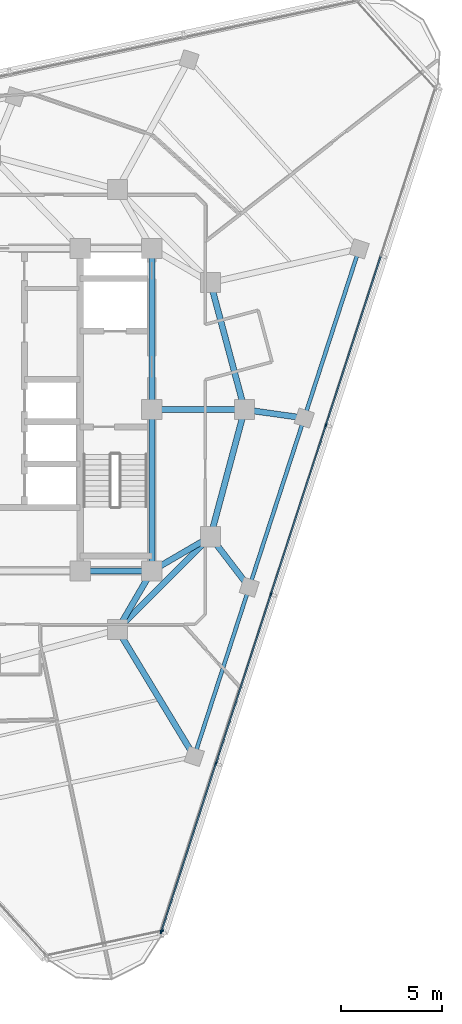
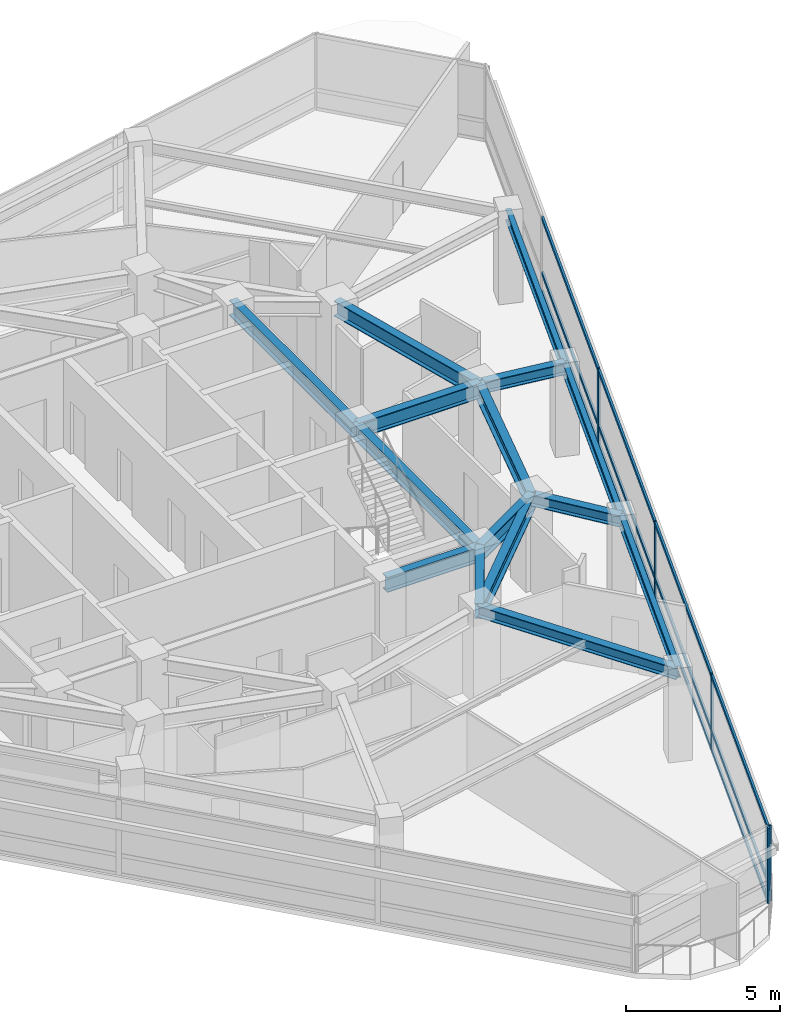
# One storey, part 4 of 15: 17 members, 15 beams, 2 elements without a shape of their own.
"""IFC4 building model written with IfcOpenShell, lengths in metres."""

from ifc_helpers import new_model, si_unit, direction, frame, origin, origin_2d, place, context, subcontext, project, spatial, rectangle, i_section, extrude, material, layer, layer_set, material_profile, profile_set, type_object, element, aggregate, save


model = new_model("IFC4")

# Units and contexts
model_context = context("Model", 3, precision=1e-05, world=origin(), true_north=direction((0.0, 1.0)))
body_context = subcontext(model_context, "Body", "Model", "MODEL_VIEW")
ifc_project = project(units=[si_unit("LENGTHUNIT", "METRE"), si_unit("AREAUNIT", "SQUARE_METRE"), si_unit("VOLUMEUNIT", "CUBIC_METRE"), si_unit("PLANEANGLEUNIT", "RADIAN"), si_unit("MASSUNIT", "GRAM", prefix="KILO")], contexts=[model_context])

# Site, building, storey
site_placement = place(None, origin())
site = spatial("IfcSite", under=ifc_project, at=site_placement, CompositionType="ELEMENT")
building_placement = place(site_placement, origin())
building = spatial("IfcBuilding", under=site, at=building_placement, Name="Terralouvre Media Tower", CompositionType="ELEMENT")
storey_placement = place(building_placement, frame((0.0, 0.0, 286.89990234375)))
storey = spatial("IfcBuildingStorey", under=building, at=storey_placement, Name="L74", CompositionType="ELEMENT", Elevation=286.89990234375)

# Curtain wall, members
ifc_material_1 = material(Name="Low-iron laminated double glazing with solar-control coating", Category="glass")
ifc_layer_1 = layer(ifc_material_1, 0.1650390625, Name="Faceted Glass-Point Crown Curtain Wall CW-06")
ifc_layer_set_1 = layer_set([ifc_layer_1], Name="Low-iron laminated double glazing with solar-control coating")
curtain_wall_type_1 = type_object("IfcCurtainWallType", Name="Faceted Glass-Point Crown Curtain Wall CW-06", PredefinedType="NOTDEFINED", material=ifc_layer_set_1)
curtain_wall_1_placement = place(storey_placement, origin())
curtain_wall_1 = element("IfcCurtainWall", 1, at=curtain_wall_1_placement, inside=storey, type_object=curtain_wall_type_1, Name="L74 Facade Curtain Wall F0", PredefinedType="NOTDEFINED")
ifc_material_2 = material(Name="Anodised extruded aluminium 6063-T6", Category="aluminium")
ifc_material_profile_1 = material_profile(ifc_material_2, rectangle(XDim=0.074951171875, YDim=0.14990234375, at=origin_2d()), Name="ALU 75x150")
ifc_profile_set_1 = profile_set([ifc_material_profile_1], Name="Anodised extruded aluminium 6063-T6")
member_type_1 = type_object("IfcMemberType", Name="Curtain-Wall Horizontal Transom TR-150", PredefinedType="USERDEFINED", material=ifc_profile_set_1)
member_1_placement = place(storey_placement, frame((8.476806640625, -25.87060546875, 0.03759765625), z_axis=(0.309004958377, 0.951060426944, 0.0), x_axis=(-0.951060426944, 0.309004958377, 0.0)))
member_1 = element("IfcMember", 2, at=member_1_placement, type_object=member_type_1, Name="CW-06 transom 1.1", ObjectType="TRANSOM", PredefinedType="USERDEFINED", context=body_context, shape_type="SweptSolid", body=[
    extrude(rectangle(XDim=0.074951171875, YDim=0.14990234375, at=origin_2d()), origin(), (0.0, 0.0, 1.0), 8.71142578125),
])
member_2_placement = place(storey_placement, frame((8.476806640625, -25.87060546875, 0.800048828125), z_axis=(0.309004958377, 0.951060426944, 0.0), x_axis=(-0.951060426944, 0.309004958377, 0.0)))
member_2 = element("IfcMember", 3, at=member_2_placement, type_object=member_type_1, Name="CW-06 transom 1.2", ObjectType="TRANSOM", PredefinedType="USERDEFINED", context=body_context, shape_type="SweptSolid", body=[
    extrude(rectangle(XDim=0.074951171875, YDim=0.14990234375, at=origin_2d()), origin(), (0.0, 0.0, 1.0), 8.71142578125),
])
member_3_placement = place(storey_placement, frame((8.476806640625, -25.87060546875, 2.962646484375), z_axis=(0.309004958377, 0.951060426944, 0.0), x_axis=(-0.951060426944, 0.309004958377, 0.0)))
member_3 = element("IfcMember", 4, at=member_3_placement, type_object=member_type_1, Name="CW-06 transom 1.3", ObjectType="TRANSOM", PredefinedType="USERDEFINED", context=body_context, shape_type="SweptSolid", body=[
    extrude(rectangle(XDim=0.074951171875, YDim=0.14990234375, at=origin_2d()), origin(), (0.0, 0.0, 1.0), 8.71142578125),
])
member_4_placement = place(storey_placement, frame((11.19189453125, -17.51416015625, 0.03759765625), z_axis=(0.309019188079, 0.951055803515, 0.0), x_axis=(-0.951055803515, 0.309019188079, 0.0)))
member_4 = element("IfcMember", 5, at=member_4_placement, type_object=member_type_1, Name="CW-06 transom 2.1", ObjectType="TRANSOM", PredefinedType="USERDEFINED", context=body_context, shape_type="SweptSolid", body=[
    extrude(rectangle(XDim=0.074951171875, YDim=0.14990234375, at=origin_2d()), origin(), (0.0, 0.0, 1.0), 8.7490234375),
])
member_5_placement = place(storey_placement, frame((11.19189453125, -17.51416015625, 0.800048828125), z_axis=(0.309019188079, 0.951055803515, 0.0), x_axis=(-0.951055803515, 0.309019188079, 0.0)))
member_5 = element("IfcMember", 6, at=member_5_placement, type_object=member_type_1, Name="CW-06 transom 2.2", ObjectType="TRANSOM", PredefinedType="USERDEFINED", context=body_context, shape_type="SweptSolid", body=[
    extrude(rectangle(XDim=0.074951171875, YDim=0.14990234375, at=origin_2d()), origin(), (0.0, 0.0, 1.0), 8.7490234375),
])
member_6_placement = place(storey_placement, frame((11.19189453125, -17.51416015625, 2.962646484375), z_axis=(0.309019188079, 0.951055803515, 0.0), x_axis=(-0.951055803515, 0.309019188079, 0.0)))
member_6 = element("IfcMember", 7, at=member_6_placement, type_object=member_type_1, Name="CW-06 transom 2.3", ObjectType="TRANSOM", PredefinedType="USERDEFINED", context=body_context, shape_type="SweptSolid", body=[
    extrude(rectangle(XDim=0.074951171875, YDim=0.14990234375, at=origin_2d()), origin(), (0.0, 0.0, 1.0), 8.7490234375),
])
member_7_placement = place(storey_placement, frame((13.918701171875, -9.1220703125, 0.03759765625), z_axis=(0.309019188079, 0.951055803515, 0.0), x_axis=(-0.951055803515, 0.309019188079, 0.0)))
member_7 = element("IfcMember", 8, at=member_7_placement, type_object=member_type_1, Name="CW-06 transom 3.1", ObjectType="TRANSOM", PredefinedType="USERDEFINED", context=body_context, shape_type="SweptSolid", body=[
    extrude(rectangle(XDim=0.074951171875, YDim=0.14990234375, at=origin_2d()), origin(), (0.0, 0.0, 1.0), 8.7490234375),
])
member_8_placement = place(storey_placement, frame((13.918701171875, -9.1220703125, 0.800048828125), z_axis=(0.309019188079, 0.951055803515, 0.0), x_axis=(-0.951055803515, 0.309019188079, 0.0)))
member_8 = element("IfcMember", 9, at=member_8_placement, type_object=member_type_1, Name="CW-06 transom 3.2", ObjectType="TRANSOM", PredefinedType="USERDEFINED", context=body_context, shape_type="SweptSolid", body=[
    extrude(rectangle(XDim=0.074951171875, YDim=0.14990234375, at=origin_2d()), origin(), (0.0, 0.0, 1.0), 8.7490234375),
])
member_9_placement = place(storey_placement, frame((13.918701171875, -9.1220703125, 2.962646484375), z_axis=(0.309019188079, 0.951055803515, 0.0), x_axis=(-0.951055803515, 0.309019188079, 0.0)))
member_9 = element("IfcMember", 10, at=member_9_placement, type_object=member_type_1, Name="CW-06 transom 3.3", ObjectType="TRANSOM", PredefinedType="USERDEFINED", context=body_context, shape_type="SweptSolid", body=[
    extrude(rectangle(XDim=0.074951171875, YDim=0.14990234375, at=origin_2d()), origin(), (0.0, 0.0, 1.0), 8.7490234375),
])
member_10_placement = place(storey_placement, frame((16.6455078125, -0.72998046875, 0.03759765625), z_axis=(0.309019188079, 0.951055803515, 0.0), x_axis=(-0.951055803515, 0.309019188079, 0.0)))
member_10 = element("IfcMember", 11, at=member_10_placement, type_object=member_type_1, Name="CW-06 transom 4.1", ObjectType="TRANSOM", PredefinedType="USERDEFINED", context=body_context, shape_type="SweptSolid", body=[
    extrude(rectangle(XDim=0.074951171875, YDim=0.14990234375, at=origin_2d()), origin(), (0.0, 0.0, 1.0), 8.7490234375),
])
member_11_placement = place(storey_placement, frame((16.6455078125, -0.72998046875, 0.800048828125), z_axis=(0.309019188079, 0.951055803515, 0.0), x_axis=(-0.951055803515, 0.309019188079, 0.0)))
member_11 = element("IfcMember", 12, at=member_11_placement, type_object=member_type_1, Name="CW-06 transom 4.2", ObjectType="TRANSOM", PredefinedType="USERDEFINED", context=body_context, shape_type="SweptSolid", body=[
    extrude(rectangle(XDim=0.074951171875, YDim=0.14990234375, at=origin_2d()), origin(), (0.0, 0.0, 1.0), 8.7490234375),
])
member_12_placement = place(storey_placement, frame((16.6455078125, -0.72998046875, 2.962646484375), z_axis=(0.309019188079, 0.951055803515, 0.0), x_axis=(-0.951055803515, 0.309019188079, 0.0)))
member_12 = element("IfcMember", 13, at=member_12_placement, type_object=member_type_1, Name="CW-06 transom 4.3", ObjectType="TRANSOM", PredefinedType="USERDEFINED", context=body_context, shape_type="SweptSolid", body=[
    extrude(rectangle(XDim=0.074951171875, YDim=0.14990234375, at=origin_2d()), origin(), (0.0, 0.0, 1.0), 8.7490234375),
])
ifc_material_3 = material(Name="Anodised extruded aluminium 6063-T6", Category="aluminium")
ifc_material_profile_2 = material_profile(ifc_material_3, rectangle(XDim=0.074951171875, YDim=0.179931640625, at=origin_2d()), Name="ALU 75x180")
ifc_profile_set_2 = profile_set([ifc_material_profile_2], Name="Anodised extruded aluminium 6063-T6")
member_type_2 = type_object("IfcMemberType", Name="Curtain-Wall Vertical Mullion ML-180", PredefinedType="MULLION", material=ifc_profile_set_2)
member_13_placement = place(storey_placement, frame((8.465087890625, -25.90625, 0.0), z_axis=(0.0, 0.0, 1.0), x_axis=(-0.951056507337, 0.309017021946, 0.0)))
member_13 = element("IfcMember", 14, at=member_13_placement, type_object=member_type_2, Name="CW-06 mullion 1", PredefinedType="MULLION", context=body_context, shape_type="SweptSolid", body=[
    extrude(rectangle(XDim=0.074951171875, YDim=0.179931640625, at=origin_2d()), origin(), (0.0, 0.0, 1.0), 3.0),
])
member_14_placement = place(storey_placement, frame((11.180419921875, -17.5498046875, 0.0), z_axis=(0.0, 0.0, 1.0), x_axis=(-0.951056507337, 0.309017021946, 0.0)))
member_14 = element("IfcMember", 15, at=member_14_placement, type_object=member_type_2, Name="CW-06 mullion 2", PredefinedType="MULLION", context=body_context, shape_type="SweptSolid", body=[
    extrude(rectangle(XDim=0.074951171875, YDim=0.179931640625, at=origin_2d()), origin(), (0.0, 0.0, 1.0), 3.0),
])
member_15_placement = place(storey_placement, frame((13.9072265625, -9.15771484375, 0.0), z_axis=(0.0, 0.0, 1.0), x_axis=(-0.951056507337, 0.309017021946, 0.0)))
member_15 = element("IfcMember", 16, at=member_15_placement, type_object=member_type_2, Name="CW-06 mullion 3", PredefinedType="MULLION", context=body_context, shape_type="SweptSolid", body=[
    extrude(rectangle(XDim=0.074951171875, YDim=0.179931640625, at=origin_2d()), origin(), (0.0, 0.0, 1.0), 3.0),
])
member_16_placement = place(storey_placement, frame((16.6337890625, -0.765625, 0.0), z_axis=(0.0, 0.0, 1.0), x_axis=(-0.951056507337, 0.309017021946, 0.0)))
member_16 = element("IfcMember", 17, at=member_16_placement, type_object=member_type_2, Name="CW-06 mullion 4", PredefinedType="MULLION", context=body_context, shape_type="SweptSolid", body=[
    extrude(rectangle(XDim=0.074951171875, YDim=0.179931640625, at=origin_2d()), origin(), (0.0, 0.0, 1.0), 3.0),
])
aggregate(curtain_wall_1, [member_13, member_14, member_15, member_16, member_1, member_2, member_3, member_4, member_5, member_6, member_7, member_8, member_9, member_10, member_11, member_12])

# Curtain wall, member
ifc_material_4 = material(Name="Low-iron laminated double glazing with solar-control coating", Category="glass")
ifc_layer_2 = layer(ifc_material_4, 0.1650390625, Name="Rounded Wind-Corner Curved Glazing CW-04")
ifc_layer_set_2 = layer_set([ifc_layer_2], Name="Low-iron laminated double glazing with solar-control coating")
curtain_wall_type_2 = type_object("IfcCurtainWallType", Name="Rounded Wind-Corner Curved Glazing CW-04", PredefinedType="NOTDEFINED", material=ifc_layer_set_2)
curtain_wall_2_placement = place(storey_placement, origin())
curtain_wall_2 = element("IfcCurtainWall", 18, at=curtain_wall_2_placement, inside=storey, type_object=curtain_wall_type_2, Name="L74 Rounded Wind-Corner Curtain Wall C0", PredefinedType="NOTDEFINED")
member_17_placement = place(storey_placement, frame((8.501953125, -25.849853515625, 0.0), z_axis=(0.0, 0.0, 1.0), x_axis=(-0.207911647592, 0.978147609922, 0.0)))
member_17 = element("IfcMember", 19, at=member_17_placement, type_object=member_type_2, Name="CW-04 mullion 2", PredefinedType="MULLION", context=body_context, shape_type="SweptSolid", body=[
    extrude(rectangle(XDim=0.074951171875, YDim=0.179931640625, at=origin_2d()), origin(), (0.0, 0.0, 1.0), 3.0),
])
aggregate(curtain_wall_2, [member_17])

# Beams
ifc_material_5 = material(Name="Structural steel S355J2", Category="steel")
ifc_material_profile_3 = material_profile(ifc_material_5, i_section(OverallWidth=0.18994140625, OverallDepth=0.449951171875, WebThickness=0.009521484375, FlangeThickness=0.0146484375, at=origin_2d()), Name="IPE 450")
ifc_profile_set_3 = profile_set([ifc_material_profile_3], Name="Structural steel S355J2")
beam_type_1 = type_object("IfcBeamType", Name="Perimeter Spandrel Beam SPB-450 (IPE 450)", PredefinedType="SPANDREL", material=ifc_profile_set_3)
for number, where, z_axis, x_axis, name in (
    (20, (10.105712890625, -17.20068359375, 3.275146484375), (0.309022258842, 0.95105480575, 0.0), (-0.95105480575, 0.309022258842, 0.0), "L74 Framing Beam BM-L74-PR05"),
    (21, (12.83251953125, -8.80859375, 3.275146484375), (0.308997232802, 0.951062936992, 0.0), (-0.951062936992, 0.308997232802, 0.0), "L74 Framing Beam BM-L74-PR06"),
):
    element("IfcBeam", number, at=place(storey_placement, frame(where, z_axis=z_axis, x_axis=x_axis)), inside=storey, type_object=beam_type_1, Name=name, PredefinedType="SPANDREL", context=body_context, shape_type="SweptSolid", body=[
        extrude(i_section(OverallWidth=0.18994140625, OverallDepth=0.449951171875, WebThickness=0.009521484375, FlangeThickness=0.0146484375, at=origin_2d()), origin(), (0.0, 0.0, 1.0), 8.823974609375),
    ])
beam_1_placement = place(storey_placement, frame((15.55908203125, -0.41650390625, 3.275146484375), z_axis=(0.309014127542, 0.951057447781, 0.0), x_axis=(-0.951057447781, 0.309014127542, 0.0)))
element("IfcBeam", 22, at=beam_1_placement, inside=storey, type_object=beam_type_1, Name="L74 Framing Beam BM-L74-PR07", PredefinedType="SPANDREL", context=body_context, shape_type="SweptSolid", body=[
    extrude(i_section(OverallWidth=0.18994140625, OverallDepth=0.449951171875, WebThickness=0.009521484375, FlangeThickness=0.0146484375, at=origin_2d()), origin(), (0.0, 0.0, 1.0), 8.82421875),
])
ifc_material_6 = material(Name="Structural steel S355J2", Category="steel")
ifc_material_profile_4 = material_profile(ifc_material_6, i_section(OverallWidth=0.300048828125, OverallDepth=0.449951171875, WebThickness=0.013916015625, FlangeThickness=0.02587890625, at=origin_2d()), Name="HEB 450")
ifc_profile_set_4 = profile_set([ifc_material_profile_4], Name="Structural steel S355J2")
beam_type_2 = type_object("IfcBeamType", Name="Primary Floor Girder B-HEB450 (HEB 450)", PredefinedType="BEAM", material=ifc_profile_set_4)
beam_2_placement = place(storey_placement, frame((6.300048828125, -10.911865234375, 3.275146484375), z_axis=(0.517730392552, -0.855543827415, 0.0), x_axis=(0.855543827415, 0.517730392552, 0.0)))
element("IfcBeam", 23, at=beam_2_placement, inside=storey, type_object=beam_type_2, Name="L74 Framing Beam BM-L74-RD05", PredefinedType="BEAM", context=body_context, shape_type="SweptSolid", body=[
    extrude(i_section(OverallWidth=0.300048828125, OverallDepth=0.449951171875, WebThickness=0.013916015625, FlangeThickness=0.02587890625, at=origin_2d()), origin(), (0.0, 0.0, 1.0), 7.3505859375),
])
beam_3_placement = place(storey_placement, frame((10.911865234375, -6.300048828125, 3.275146484375), z_axis=(0.607920398404, -0.793997978086, 0.0), x_axis=(0.793997978086, 0.607920398404, 0.0)))
element("IfcBeam", 24, at=beam_3_placement, inside=storey, type_object=beam_type_2, Name="L74 Framing Beam BM-L74-RD06", PredefinedType="BEAM", context=body_context, shape_type="SweptSolid", body=[
    extrude(i_section(OverallWidth=0.300048828125, OverallDepth=0.449951171875, WebThickness=0.013916015625, FlangeThickness=0.02587890625, at=origin_2d()), origin(), (0.0, 0.0, 1.0), 3.159423828125),
])
beam_4_placement = place(storey_placement, frame((12.60009765625, 0.0, 3.275146484375), z_axis=(0.990238261961, -0.139385022682, 0.0), x_axis=(0.139385022682, 0.990238261961, 0.0)))
element("IfcBeam", 25, at=beam_4_placement, inside=storey, type_object=beam_type_2, Name="L74 Framing Beam BM-L74-RD07", PredefinedType="BEAM", context=body_context, shape_type="SweptSolid", body=[
    extrude(i_section(OverallWidth=0.300048828125, OverallDepth=0.449951171875, WebThickness=0.013916015625, FlangeThickness=0.02587890625, at=origin_2d()), origin(), (0.0, 0.0, 1.0), 2.988037109375),
])
ifc_material_7 = material(Name="Structural steel S460M", Category="steel")
ifc_material_profile_5 = material_profile(ifc_material_7, i_section(OverallWidth=0.300048828125, OverallDepth=0.60009765625, WebThickness=0.015380859375, FlangeThickness=0.030029296875, at=origin_2d()), Name="HEB 600")
ifc_profile_set_5 = profile_set([ifc_material_profile_5], Name="Structural steel S460M")
beam_type_3 = type_object("IfcBeamType", Name="Primary Floor Girder B-HEB600 (HEB 600)", PredefinedType="BEAM", material=ifc_profile_set_5)
beam_5_placement = place(storey_placement, frame((4.449951171875, -8.0, 3.2001953125), z_axis=(1.0, 0.0, 0.0), x_axis=(0.0, 1.0, 0.0)))
element("IfcBeam", 26, at=beam_5_placement, inside=storey, type_object=beam_type_3, Name="L74 Framing Beam BM-L74-CPR03", PredefinedType="BEAM", context=body_context, shape_type="SweptSolid", body=[
    extrude(i_section(OverallWidth=0.300048828125, OverallDepth=0.60009765625, WebThickness=0.015380859375, FlangeThickness=0.030029296875, at=origin_2d()), origin(), (0.0, 0.0, 1.0), 3.550048828125),
])
for number, where, z_axis, x_axis, name in (
    (27, (8.0, -8.0, 3.2001953125), (0.0, 1.0, 0.0), (-1.0, 0.0, 0.0), "L74 Framing Beam BM-L74-CPR04"),
    (28, (8.0, 0.0, 3.2001953125), (0.0, 1.0, 0.0), (-1.0, 0.0, 0.0), "L74 Framing Beam BM-L74-CPR05"),
):
    element("IfcBeam", number, at=place(storey_placement, frame(where, z_axis=z_axis, x_axis=x_axis)), inside=storey, type_object=beam_type_3, Name=name, PredefinedType="BEAM", context=body_context, shape_type="SweptSolid", body=[
        extrude(i_section(OverallWidth=0.300048828125, OverallDepth=0.60009765625, WebThickness=0.015380859375, FlangeThickness=0.030029296875, at=origin_2d()), origin(), (0.0, 0.0, 1.0), 8.0),
    ])
beam_6_placement = place(storey_placement, frame((6.300048828125, -10.911865234375, 3.2001953125), z_axis=(0.707106781187, 0.707106781187, 0.0), x_axis=(-0.707106781187, 0.707106781187, 0.0)))
element("IfcBeam", 29, at=beam_6_placement, inside=storey, type_object=beam_type_3, Name="L74 Framing Beam BM-L74-MR04", PredefinedType="BEAM", context=body_context, shape_type="SweptSolid", body=[
    extrude(i_section(OverallWidth=0.300048828125, OverallDepth=0.60009765625, WebThickness=0.015380859375, FlangeThickness=0.030029296875, at=origin_2d()), origin(), (0.0, 0.0, 1.0), 6.52197265625),
])
for number, where, z_axis, x_axis, name in (
    (30, (10.911865234375, -6.300048828125, 3.2001953125), (0.258838989821, 0.965920481897, 0.0), (-0.965920481897, 0.258838989821, 0.0), "L74 Framing Beam BM-L74-MR05"),
    (31, (12.60009765625, 0.0, 3.2001953125), (-0.258838989821, 0.965920481897, 0.0), (-0.965920481897, -0.258838989821, 0.0), "L74 Framing Beam BM-L74-MR06"),
):
    element("IfcBeam", number, at=place(storey_placement, frame(where, z_axis=z_axis, x_axis=x_axis)), inside=storey, type_object=beam_type_3, Name=name, PredefinedType="BEAM", context=body_context, shape_type="SweptSolid", body=[
        extrude(i_section(OverallWidth=0.300048828125, OverallDepth=0.60009765625, WebThickness=0.015380859375, FlangeThickness=0.030029296875, at=origin_2d()), origin(), (0.0, 0.0, 1.0), 6.522216796875),
    ])
for number, where, z_axis, x_axis, name in (
    (32, (8.0, -8.0, 3.2001953125), (-0.504172629717, -0.863602894532, 0.0), (0.863602894532, -0.504172629717, 0.0), "L74 Framing Beam BM-L74-CM04"),
    (33, (8.0, -8.0, 3.2001953125), (0.863602894532, 0.504172629717, 0.0), (-0.504172629717, 0.863602894532, 0.0), "L74 Framing Beam BM-L74-CM05"),
):
    element("IfcBeam", number, at=place(storey_placement, frame(where, z_axis=z_axis, x_axis=x_axis)), inside=storey, type_object=beam_type_3, Name=name, PredefinedType="BEAM", context=body_context, shape_type="SweptSolid", body=[
        extrude(i_section(OverallWidth=0.300048828125, OverallDepth=0.60009765625, WebThickness=0.015380859375, FlangeThickness=0.030029296875, at=origin_2d()), origin(), (0.0, 0.0, 1.0), 3.371826171875),
    ])
beam_7_placement = place(storey_placement, frame((8.0, 0.0, 3.2001953125), z_axis=(1.0, 0.0, 0.0), x_axis=(0.0, 1.0, 0.0)))
element("IfcBeam", 34, at=beam_7_placement, inside=storey, type_object=beam_type_3, Name="L74 Framing Beam BM-L74-CM06", PredefinedType="BEAM", context=body_context, shape_type="SweptSolid", body=[
    extrude(i_section(OverallWidth=0.300048828125, OverallDepth=0.60009765625, WebThickness=0.015380859375, FlangeThickness=0.030029296875, at=origin_2d()), origin(), (0.0, 0.0, 1.0), 4.60009765625),
])

save(model, "model.ifc")
